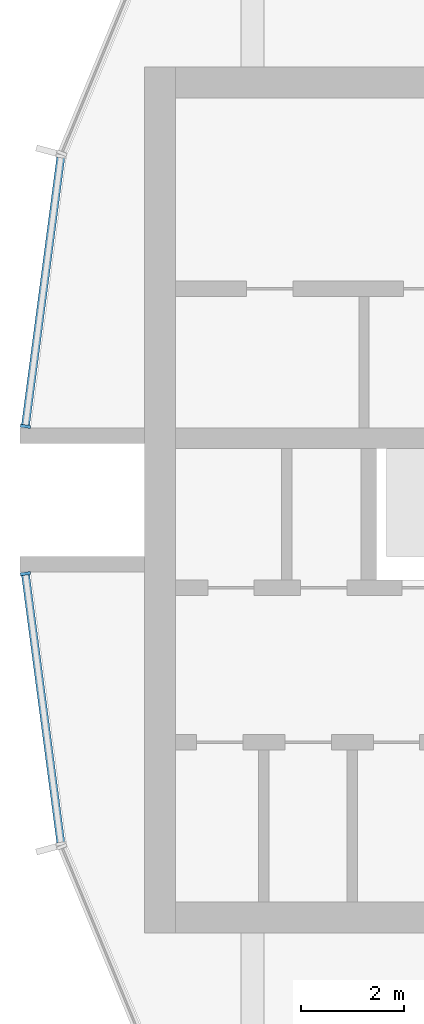
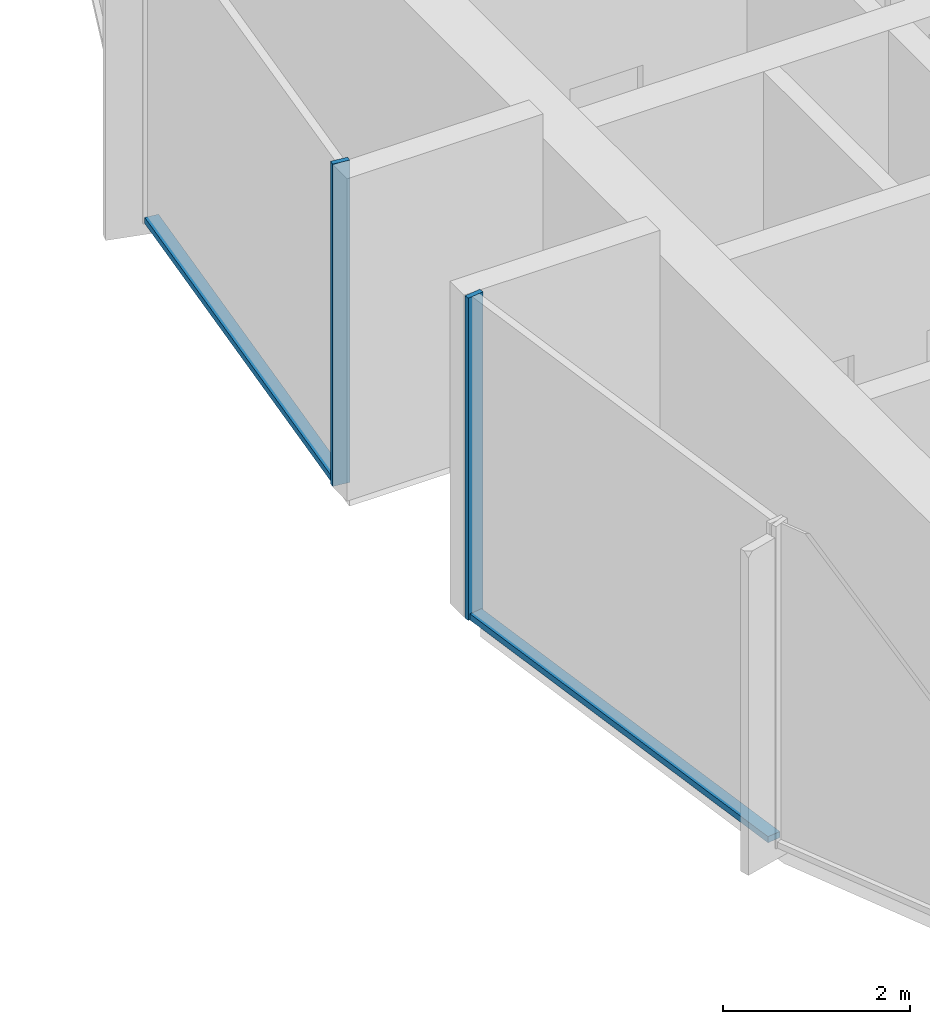
# One storey, part 3 of 15: 4 members, 2 elements without a shape of their own.
"""IFC4 building model written with IfcOpenShell, lengths in metres."""

from ifc_helpers import new_model, si_unit, direction, frame, origin, origin_2d, place, context, subcontext, project, spatial, rectangle, extrude, material, layer, layer_set, material_profile, profile_set, type_object, element, aggregate, save


model = new_model("IFC4")

# Units and contexts
model_context = context("Model", 3, precision=1e-05, world=origin(), true_north=direction((0.0, 1.0)))
body_context = subcontext(model_context, "Body", "Model", "MODEL_VIEW")
ifc_project = project(units=[si_unit("LENGTHUNIT", "METRE"), si_unit("AREAUNIT", "SQUARE_METRE"), si_unit("VOLUMEUNIT", "CUBIC_METRE"), si_unit("PLANEANGLEUNIT", "RADIAN"), si_unit("MASSUNIT", "GRAM", prefix="KILO")], contexts=[model_context])

# Site, building, storey
site_placement = place(None, origin())
site = spatial("IfcSite", under=ifc_project, at=site_placement, CompositionType="ELEMENT")
building_placement = place(site_placement, origin())
building = spatial("IfcBuilding", under=site, at=building_placement, Name="Torre Brocal", CompositionType="ELEMENT")
storey_placement = place(building_placement, frame((0.0, 0.0, 258.300048828125)))
storey = spatial("IfcBuildingStorey", under=building, at=storey_placement, Name="L59", CompositionType="ELEMENT", Elevation=258.300048828125)

# Curtain wall, member
ifc_material_1 = material(Name="Aluminium and glass", Category="aluminium")
ifc_layer = layer(ifc_material_1, 0.199951171875)
ifc_layer_set = layer_set([ifc_layer], Name="Aluminium and glass")
curtain_wall_type = type_object("IfcCurtainWallType", Name="CW-1B CURTAIN WALL 4200 HIGH", PredefinedType="NOTDEFINED", material=ifc_layer_set)
curtain_wall_1_placement = place(storey_placement, origin())
curtain_wall_1 = element("IfcCurtainWall", 1, at=curtain_wall_1_placement, inside=storey, type_object=curtain_wall_type, Name="CW-1B RUN 12", PredefinedType="NOTDEFINED")
ifc_material_2 = material(Name="Aluminium, dark anodised", Category="aluminium")
ifc_material_profile_1 = material_profile(ifc_material_2, rectangle(XDim=0.199951171875, YDim=0.06005859375, at=origin_2d()), Name="CW-1B MULLION 60X200")
ifc_profile_set_1 = profile_set([ifc_material_profile_1], Name="Aluminium, dark anodised")
member_type_1 = type_object("IfcMemberType", Name="CW-1B MULLION 60X200", PredefinedType="MULLION", material=ifc_profile_set_1)
member_1_placement = place(storey_placement, frame((54.2890625, 76.4296875, 0.0), z_axis=(0.0, 0.0, 1.0), x_axis=(0.991444861374, -0.13052619222, 0.0)))
member_1 = element("IfcMember", 2, at=member_1_placement, type_object=member_type_1, Name="CW1B-5 mullion 2", PredefinedType="MULLION", context=body_context, shape_type="SweptSolid", body=[
    extrude(rectangle(XDim=0.199951171875, YDim=0.06005859375, at=origin_2d()), origin(), (0.0, 0.0, 1.0), 4.199951171875),
])

curtain_wall_2_placement = place(storey_placement, origin())
curtain_wall_2 = element("IfcCurtainWall", 3, at=curtain_wall_2_placement, inside=storey, type_object=curtain_wall_type, Name="CW-1B RUN 13", PredefinedType="NOTDEFINED")
member_2_placement = place(storey_placement, frame((54.2890625, 73.5703125, 0.0), z_axis=(0.0, 0.0, 1.0), x_axis=(0.991444861374, 0.13052619222, 0.0)))
member_2 = element("IfcMember", 4, at=member_2_placement, type_object=member_type_1, Name="CW1B-5 mullion 1", PredefinedType="MULLION", context=body_context, shape_type="SweptSolid", body=[
    extrude(rectangle(XDim=0.199951171875, YDim=0.06005859375, at=origin_2d()), origin(), (0.0, 0.0, 1.0), 4.199951171875),
])

# Member
ifc_material_3 = material(Name="Aluminium, dark anodised", Category="aluminium")
ifc_material_profile_2 = material_profile(ifc_material_3, rectangle(XDim=0.159912109375, YDim=0.080078125, at=origin_2d()), Name="CW-1B TRANSOM 160X80")
ifc_profile_set_2 = profile_set([ifc_material_profile_2], Name="Aluminium, dark anodised")
member_type_2 = type_object("IfcMemberType", Name="CW-1B TRANSOM 160X80", PredefinedType="USERDEFINED", material=ifc_profile_set_2)
member_3_placement = place(storey_placement, frame((54.9755859375, 81.643798828125, 0.0400390625), z_axis=(-0.130542677827, -0.991442690863, 0.0), x_axis=(0.991442690863, -0.130542677827, 0.0)))
member_3 = element("IfcMember", 5, at=member_3_placement, type_object=member_type_2, Name="CW1B-5 transom 1.1", ObjectType="TRANSOM", PredefinedType="USERDEFINED", context=body_context, shape_type="SweptSolid", body=[
    extrude(rectangle(XDim=0.159912109375, YDim=0.080078125, at=origin_2d()), origin(), (0.0, 0.0, 1.0), 5.22900390625),
])

aggregate(curtain_wall_1, [member_1, member_3])

member_4_placement = place(storey_placement, frame((54.29296875, 73.54052734375, 0.0400390625), z_axis=(0.130542677827, -0.991442690863, 0.0), x_axis=(0.991442690863, 0.130542677827, 0.0)))
member_4 = element("IfcMember", 6, at=member_4_placement, type_object=member_type_2, Name="CW1B-5 transom 1.1", ObjectType="TRANSOM", PredefinedType="USERDEFINED", context=body_context, shape_type="SweptSolid", body=[
    extrude(rectangle(XDim=0.159912109375, YDim=0.080078125, at=origin_2d()), origin(), (0.0, 0.0, 1.0), 5.22900390625),
])

aggregate(curtain_wall_2, [member_2, member_4])

save(model, "model.ifc")
